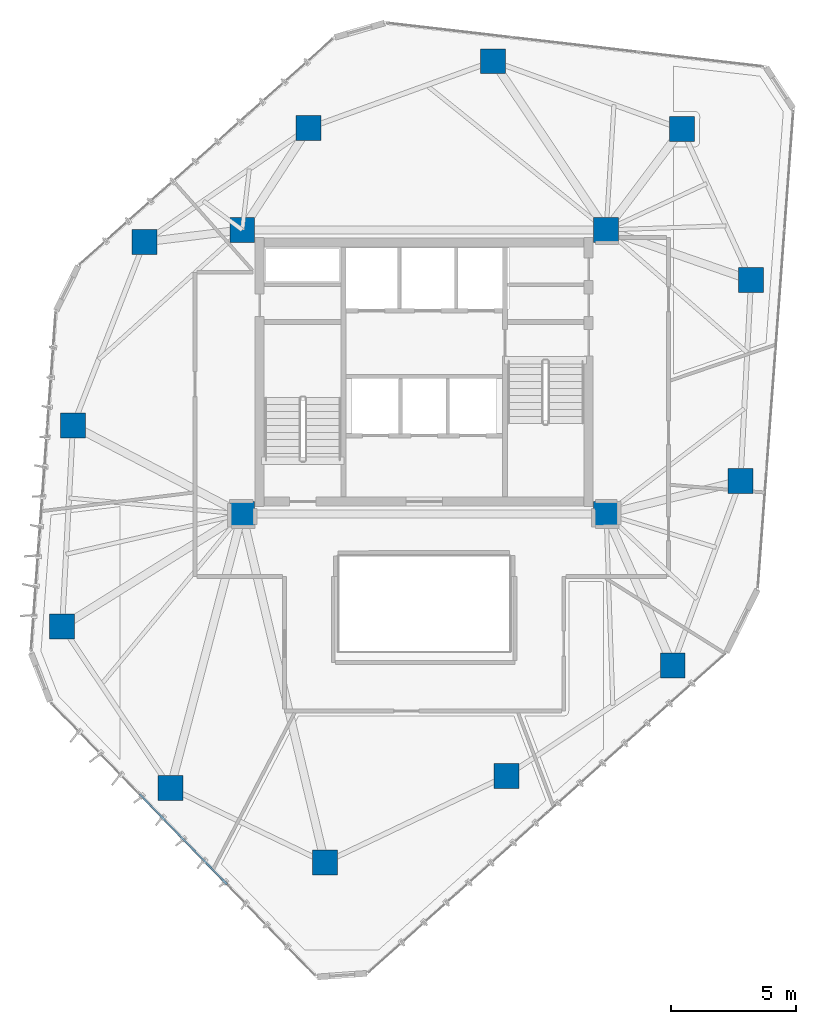
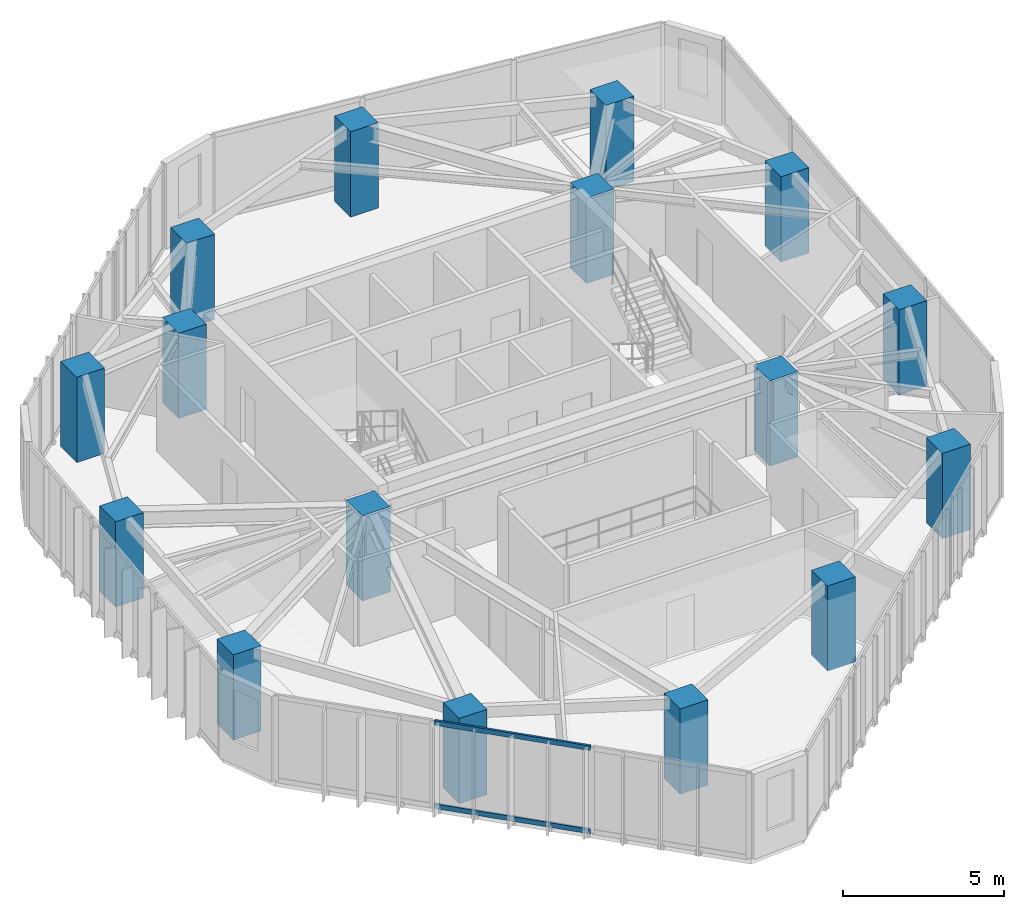
# One storey, part 1 of 20: 16 columns, 2 members, 1 element without a shape of its own.
"""IFC4 building model written with IfcOpenShell, lengths in metres."""

from ifc_helpers import new_model, si_unit, direction, frame, origin, origin_2d, place, context, subcontext, project, spatial, rectangle, hollow_rectangle, extrude, source, transform, mapped, material, layer, layer_set, material_profile, profile_set, type_object, type_shapes, element, aggregate, save


model = new_model("IFC4")

# Units and contexts
model_context = context("Model", 3, precision=1e-05, world=origin(), true_north=direction((0.0, 1.0)))
body_context = subcontext(model_context, "Body", "Model", "MODEL_VIEW")
ifc_project = project(units=[si_unit("LENGTHUNIT", "METRE"), si_unit("AREAUNIT", "SQUARE_METRE"), si_unit("VOLUMEUNIT", "CUBIC_METRE"), si_unit("PLANEANGLEUNIT", "RADIAN"), si_unit("MASSUNIT", "GRAM", prefix="KILO")], contexts=[model_context])

# Site, building, storey
site_placement = place(None, origin())
site = spatial("IfcSite", under=ifc_project, at=site_placement, CompositionType="ELEMENT")
building_placement = place(site_placement, origin())
building = spatial("IfcBuilding", under=site, at=building_placement, Name="Talar Marvaseh", CompositionType="ELEMENT")
storey_placement = place(building_placement, frame((0.0, 0.0, 215.199951171875)))
storey = spatial("IfcBuildingStorey", under=building, at=storey_placement, Name="L56", CompositionType="ELEMENT", Elevation=215.199951171875)

# Columns
ifc_material_1 = material(Name="Concrete C60/75", Category="concrete")
ifc_material_profile_1 = material_profile(ifc_material_1, rectangle(XDim=1.0, YDim=1.0, at=origin_2d()), Name="RC1000x1000")
ifc_profile_set_1 = profile_set([ifc_material_profile_1], Name="Concrete C60/75")
column_type = type_object("IfcColumnType", Name="Zone 3 Tube Column RC1000x1000", PredefinedType="COLUMN", material=ifc_profile_set_1)
for number, where, z_axis, x_axis, name in (
    (1, (28.76611328125, 43.66796875, 0.0), (0.0, 0.0, 1.0), (1.0, 0.0, 0.0), "L56 Zone 3 Tube Column RC1000x1000"),
    (2, (36.341064453125, 40.94189453125, 0.0), (0.0, 0.0, 1.0), (1.0, 0.0, 0.0), "L56 Zone 3 Tube Column RC1000x1000"),
    (3, (39.113037109375, 34.884033203125, 0.0), (0.0, 0.0, 1.0), (1.0, 0.0, 0.0), "L56 Zone 3 Tube Column RC1000x1000"),
    (4, (38.68896484375, 26.823974609375, 0.0), (0.0, 0.0, 1.0), (1.0, 0.0, 0.0), "L56 Zone 3 Tube Column RC1000x1000"),
    (5, (35.970947265625, 19.423095703125, 0.0), (0.0, 0.0, 1.0), (1.0, 0.0, 0.0), "L56 Zone 3 Tube Column RC1000x1000"),
    (6, (29.299072265625, 14.993896484375, 0.0), (0.0, 0.0, 1.0), (1.0, 0.0, 0.0), "L56 Zone 3 Tube Column RC1000x1000"),
    (7, (22.014892578125, 11.51904296875, 0.0), (0.0, 0.0, 1.0), (1.0, 0.0, 0.0), "L56 Zone 3 Tube Column RC1000x1000"),
    (8, (15.819091796875, 14.5009765625, 0.0), (0.0, 0.0, 1.0), (1.0, 0.0, 0.0), "L56 Zone 3 Tube Column RC1000x1000"),
    (9, (11.471923828125, 20.986083984375, 0.0), (0.0, 0.0, 1.0), (1.0, 0.0, 0.0), "L56 Zone 3 Tube Column RC1000x1000"),
    (10, (11.908935546875, 29.044921875, 0.0), (0.0, 0.0, 1.0), (1.0, 0.0, 0.0), "L56 Zone 3 Tube Column RC1000x1000"),
    (11, (14.77294921875, 36.416015625, 0.0), (0.0, 0.0, 1.0), (1.0, 0.0, 0.0), "L56 Zone 3 Tube Column RC1000x1000"),
    (12, (21.35205078125, 40.986083984375, 0.0), (0.0, 0.0, 1.0), (1.0, 0.0, 0.0), "L56 Zone 3 Tube Column RC1000x1000"),
    (13, (18.699951171875, 25.5, 0.0), (0.0, 0.0, 1.0), (1.0, 0.0, 0.0), "L56 Zone 3 Tube Column RC1000x1000"),
    (14, (33.300048828125, 25.5, 0.0), (0.0, 0.0, 1.0), (1.0, 0.0, 0.0), "L56 Zone 3 Tube Column RC1000x1000"),
    (15, (33.300048828125, 36.89990234375, 0.0), (0.0, 0.0, 1.0), (1.0, 0.0, 0.0), "L56 Zone 3 Tube Column RC1000x1000"),
    (16, (18.699951171875, 36.89990234375, 0.0), (0.0, 0.0, 1.0), (1.0, 0.0, 0.0), "L56 Zone 3 Tube Column RC1000x1000"),
):
    element("IfcColumn", number, at=place(storey_placement, frame(where, z_axis=z_axis, x_axis=x_axis)), inside=storey, type_object=column_type, Name=name, PredefinedType="COLUMN", context=body_context, shape_type="SweptSolid", body=[
        extrude(rectangle(XDim=1.0, YDim=1.0, at=origin_2d()), origin(), (0.0, 0.0, 1.0), 3.22998046875),
    ])

# Curtain wall, members
ifc_material_2 = material(Name="Architectural Aluminium", Category="aluminium")
ifc_layer = layer(ifc_material_2, 0.18994140625)
ifc_layer_set = layer_set([ifc_layer], Name="Architectural Aluminium")
curtain_wall_type = type_object("IfcCurtainWallType", Name="Unitised Solar Atelier Curtain Wall Z3", PredefinedType="NOTDEFINED", material=ifc_layer_set)
curtain_wall_placement = place(storey_placement, origin())
curtain_wall = element("IfcCurtainWall", 17, at=curtain_wall_placement, inside=storey, type_object=curtain_wall_type, Name="L56 Unitised Solar Atelier Curtain Wall Z3", PredefinedType="NOTDEFINED")
ifc_material_profile_2 = material_profile(ifc_material_2, hollow_rectangle(XDim=0.074951171875, YDim=0.179931640625, WallThickness=0.0048828125, at=origin_2d()), Name="RHS180x75x5")
ifc_profile_set_2 = profile_set([ifc_material_profile_2], Name="Architectural Aluminium")
member_type = type_object("IfcMemberType", Name="Unitised Curtain Wall Transom RHS180x75x5", PredefinedType="USERDEFINED", material=ifc_profile_set_2)
shared_shape = source(origin(), body_context, "Body", "SweptSolid", [
    extrude(hollow_rectangle(XDim=0.074951171875, YDim=0.179931640625, WallThickness=0.0048828125, at=origin_2d()), origin(), (0.0, 0.0, 1.0), 5.0380859375),
])
type_shapes(member_type, [shared_shape])
member_1_placement = place(storey_placement, frame((18.08984375, 10.641845703125, 0.03759765625), z_axis=(-0.695873332248, 0.71816453927, 0.0), x_axis=(-0.71816453927, -0.695873332248, 0.0)))
member_1 = element("IfcMember", 18, at=member_1_placement, type_object=member_type, Name="CW-Z3 transom 2.1", ObjectType="TRANSOM", PredefinedType="USERDEFINED", context=body_context, shape_type="MappedRepresentation", body=[
    mapped(shared_shape, transform((0.0, 0.0, 0.0), x_axis=(1.0, 0.0, 0.0), y_axis=(0.0, 1.0, 0.0), z_axis=(0.0, 0.0, 1.0), scale=1.0)),
])
member_2_placement = place(storey_placement, frame((18.08984375, 10.641845703125, 3.192626953125), z_axis=(-0.695873332248, 0.71816453927, 0.0), x_axis=(-0.71816453927, -0.695873332248, 0.0)))
member_2 = element("IfcMember", 19, at=member_2_placement, type_object=member_type, Name="CW-Z3 transom 2.2", ObjectType="TRANSOM", PredefinedType="USERDEFINED", context=body_context, shape_type="MappedRepresentation", body=[
    mapped(shared_shape, transform((0.0, 0.0, 0.0), x_axis=(1.0, 0.0, 0.0), y_axis=(0.0, 1.0, 0.0), z_axis=(0.0, 0.0, 1.0), scale=1.0)),
])
aggregate(curtain_wall, [member_1, member_2])

save(model, "model.ifc")
